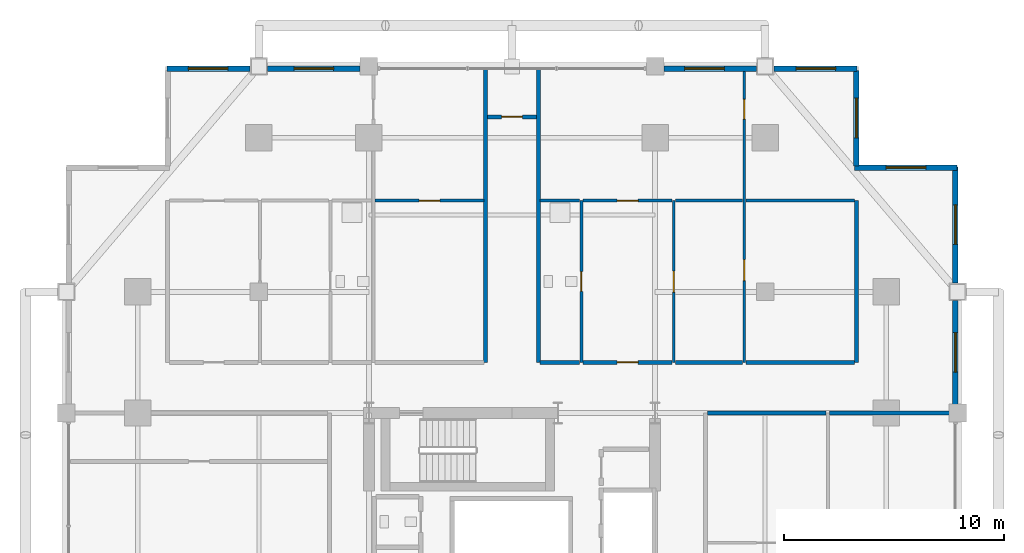
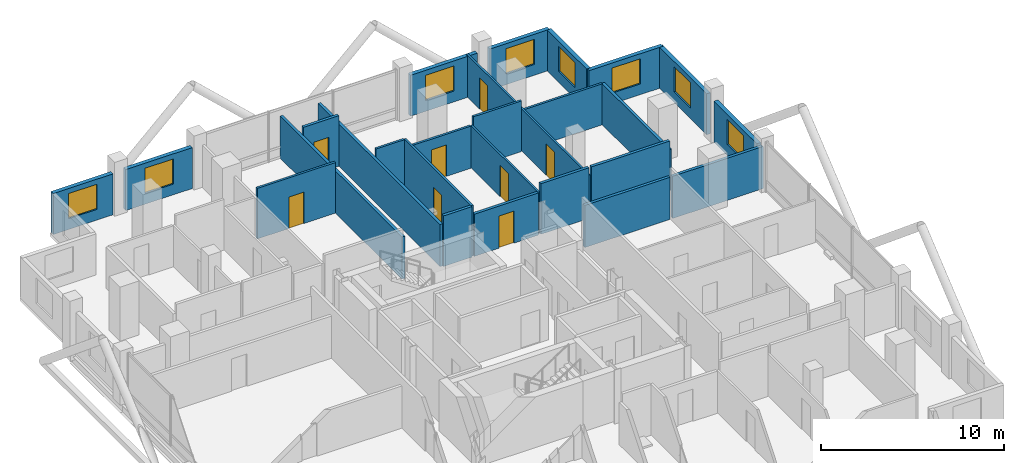
# One storey, part 22 of 25: 26 walls, 8 doors, 8 windows, 16 openings.
"""IFC4 building model written with IfcOpenShell, lengths in metres."""

from ifc_helpers import new_model, si_unit, direction, frame, frame_2d, origin, place, context, subcontext, project, spatial, rectangle, extrude, material, layer, layer_set, type_object, element, fill, save


model = new_model("IFC4")

# Units and contexts
model_context = context("Model", 3, precision=1e-05, world=origin(), true_north=direction((0.0, 1.0)))
body_context = subcontext(model_context, "Body", "Model", "MODEL_VIEW")
ifc_project = project(units=[si_unit("LENGTHUNIT", "METRE"), si_unit("AREAUNIT", "SQUARE_METRE"), si_unit("VOLUMEUNIT", "CUBIC_METRE"), si_unit("PLANEANGLEUNIT", "RADIAN"), si_unit("MASSUNIT", "GRAM", prefix="KILO")], contexts=[model_context])

# Site, building, storey
site_placement = place(None, origin())
site = spatial("IfcSite", under=ifc_project, at=site_placement, CompositionType="ELEMENT")
building_placement = place(site_placement, origin())
building = spatial("IfcBuilding", under=site, at=building_placement, Name="Barlavira Tower and Art Museum", CompositionType="ELEMENT")
storey_placement = place(building_placement, frame((0.0, 0.0, 144.0)))
storey = spatial("IfcBuildingStorey", under=building, at=storey_placement, Name="L36", CompositionType="ELEMENT", Elevation=144.0)

# Wall, opening, door
ifc_material_1 = material(Name="Gypsum acoustic stud partition", Category="gypsum")
ifc_layer_1 = layer(ifc_material_1, 0.1201171875, Name="Gypsum acoustic stud partition")
ifc_layer_set_1 = layer_set([ifc_layer_1], Name="Gypsum acoustic stud partition")
wall_type_1 = type_object("IfcWallType", Name="Apartment Internal Acoustic Partition 120", PredefinedType="PARTITIONING", material=ifc_layer_set_1)
wall_1_placement = place(storey_placement, frame((7.35009765625, 9.800048828125, 0.0), z_axis=(0.0, 0.0, 1.0), x_axis=(0.0, 1.0, 0.0)))
wall_1 = element("IfcWall", 1, at=wall_1_placement, inside=storey, type_object=wall_type_1, Name="L36 Partition Wall 18", PredefinedType="PARTITIONING", context=body_context, shape_type="SweptSolid", body=[
    extrude(rectangle(XDim=7.349853515625, YDim=0.1201171875, at=frame_2d((3.6748046875, 0.0))), origin(), (0.0, 0.0, 1.0), 2.81591796875),
])
opening_1_placement = place(wall_1_placement, frame((3.195068359375, 0.0, 0.0)))
opening_1 = element("IfcOpeningElement", 2, at=opening_1_placement, cuts=wall_1, Name="Opening D-02", PredefinedType="OPENING", context=body_context, shape_type="SweptSolid", body=[
    extrude(rectangle(XDim=0.949951171875, YDim=2.10009765625, at=frame_2d((0.47509765625, 1.050048828125))), frame((0.0, 0.070068359375, 0.0), z_axis=(0.0, -1.0, 0.0), x_axis=(1.0, 0.0, 0.0)), (0.0, 0.0, 1.0), 0.14013671875),
])
ifc_material_2 = material(Name="Engineered coastal hardwood", Category="wood")
door_type_1 = type_object("IfcDoorType", Name="Living and Salon Glazed-Leaf Door 950x2100", OperationType="NOTDEFINED", PredefinedType="DOOR", material=ifc_material_2)
door_1_placement = place(opening_1_placement, origin())
door_1 = element("IfcDoor", 3, at=door_1_placement, inside=storey, type_object=door_type_1, Name="Apartment NE1 Kitchen Door", OperationType="SINGLE_SWING_LEFT", OverallHeight=2.10009765625, OverallWidth=0.949951171875, PredefinedType="DOOR", context=body_context, shape_type="SweptSolid", body=[
    extrude(rectangle(XDim=0.949951171875, YDim=2.10009765625, at=frame_2d((0.47509765625, 1.050048828125))), frame((0.0, 0.02490234375, 0.0), z_axis=(0.0, -1.0, 0.0), x_axis=(1.0, 0.0, 0.0)), (0.0, 0.0, 1.0), 0.050048828125),
])
fill(opening_1, door_1)

# Wall, openings, doors
wall_2_placement = place(storey_placement, frame((10.550048828125, 9.800048828125, 0.0), z_axis=(0.0, 0.0, 1.0), x_axis=(0.0, 1.0, 0.0)))
wall_2 = element("IfcWall", 4, at=wall_2_placement, inside=storey, type_object=wall_type_1, Name="L36 Partition Wall 21", PredefinedType="PARTITIONING", context=body_context, shape_type="SweptSolid", body=[
    extrude(rectangle(XDim=13.349853515625, YDim=0.1201171875, at=frame_2d((6.6748046875, 0.0))), origin(), (0.0, 0.0, 1.0), 2.81591796875),
])
opening_2_placement = place(wall_2_placement, frame((3.71337890625, 0.0, 0.0)))
opening_2 = element("IfcOpeningElement", 5, at=opening_2_placement, cuts=wall_2, Name="Opening D-02", PredefinedType="OPENING", context=body_context, shape_type="SweptSolid", body=[
    extrude(rectangle(XDim=0.949951171875, YDim=2.10009765625, at=frame_2d((0.47509765625, 1.050048828125))), frame((0.0, 0.070068359375, 0.0), z_axis=(0.0, -1.0, 0.0), x_axis=(1.0, 0.0, 0.0)), (0.0, 0.0, 1.0), 0.14013671875),
])
opening_3_placement = place(wall_2_placement, frame((11.051025390625, 0.0, 0.0)))
opening_3 = element("IfcOpeningElement", 6, at=opening_3_placement, cuts=wall_2, Name="Opening D-01", PredefinedType="OPENING", context=body_context, shape_type="SweptSolid", body=[
    extrude(rectangle(XDim=0.89990234375, YDim=2.10009765625, at=frame_2d((0.449951171875, 1.050048828125))), frame((0.0, 0.070068359375, 0.0), z_axis=(0.0, -1.0, 0.0), x_axis=(1.0, 0.0, 0.0)), (0.0, 0.0, 1.0), 0.14013671875),
])
door_type_2 = type_object("IfcDoorType", Name="Internal Bedroom Timber Flush Door 900x2100", OperationType="NOTDEFINED", PredefinedType="DOOR", material=ifc_material_2)
door_2_placement = place(opening_3_placement, origin())
door_2 = element("IfcDoor", 7, at=door_2_placement, inside=storey, type_object=door_type_2, Name="Apartment NE1 Bedroom 1 Door", OperationType="SINGLE_SWING_RIGHT", OverallHeight=2.10009765625, OverallWidth=0.89990234375, PredefinedType="DOOR", context=body_context, shape_type="SweptSolid", body=[
    extrude(rectangle(XDim=0.89990234375, YDim=2.10009765625, at=frame_2d((0.449951171875, 1.050048828125))), frame((0.0, 0.02490234375, 0.0), z_axis=(0.0, -1.0, 0.0), x_axis=(1.0, 0.0, 0.0)), (0.0, 0.0, 1.0), 0.050048828125),
])
fill(opening_3, door_2)
door_3_placement = place(opening_2_placement, origin())
door_3 = element("IfcDoor", 8, at=door_3_placement, inside=storey, type_object=door_type_1, Name="Apartment NE1 Dining Salon Door", OperationType="SINGLE_SWING_RIGHT", OverallHeight=2.10009765625, OverallWidth=0.949951171875, PredefinedType="DOOR", context=body_context, shape_type="SweptSolid", body=[
    extrude(rectangle(XDim=0.949951171875, YDim=2.10009765625, at=frame_2d((0.47509765625, 1.050048828125))), frame((0.0, 0.02490234375, 0.0), z_axis=(0.0, -1.0, 0.0), x_axis=(1.0, 0.0, 0.0)), (0.0, 0.0, 1.0), 0.050048828125),
])
fill(opening_2, door_3)

# Walls
ifc_layer_2 = layer(ifc_material_1, 0.179931640625, Name="Gypsum acoustic stud partition")
ifc_layer_set_2 = layer_set([ifc_layer_2], Name="Gypsum acoustic stud partition")
wall_type_2 = type_object("IfcWallType", Name="Inter-Tenancy Party Partition Wall 180", PredefinedType="PARTITIONING", material=ifc_layer_set_2)
for number, where, z_axis, x_axis, name in (
    (9, (-1.199951171875, 9.800048828125, 0.0), (0.0, 0.0, 1.0), (0.0, 1.0, 0.0), "L36 Partition Wall 11"),
    (10, (1.199951171875, 9.800048828125, 0.0), (0.0, 0.0, 1.0), (0.0, 1.0, 0.0), "L36 Partition Wall 13"),
):
    element("IfcWall", number, at=place(storey_placement, frame(where, z_axis=z_axis, x_axis=x_axis)), inside=storey, type_object=wall_type_2, Name=name, PredefinedType="PARTITIONING", context=body_context, shape_type="SweptSolid", body=[
        extrude(rectangle(XDim=13.349853515625, YDim=0.179931640625, at=frame_2d((6.6748046875, 0.0))), origin(), (0.0, 0.0, 1.0), 2.81591796875),
    ])
wall_3_placement = place(storey_placement, frame((15.64990234375, 9.800048828125, 0.0), z_axis=(0.0, 0.0, 1.0), x_axis=(0.0, 1.0, 0.0)))
element("IfcWall", 11, at=wall_3_placement, inside=storey, type_object=wall_type_2, Name="L36 Partition Wall 24", PredefinedType="PARTITIONING", context=body_context, shape_type="SweptSolid", body=[
    extrude(rectangle(XDim=7.349853515625, YDim=0.179931640625, at=frame_2d((3.6748046875, 0.0))), origin(), (0.0, 0.0, 1.0), 2.736083984375),
])
wall_4_placement = place(storey_placement, frame((8.8798828125, 7.5, 0.0), z_axis=(0.0, 0.0, 1.0), x_axis=(1.0, 0.0, 0.0)))
element("IfcWall", 12, at=wall_4_placement, inside=storey, type_object=wall_type_2, Name="L36 Partition Wall 52", PredefinedType="PARTITIONING", context=body_context, shape_type="SweptSolid", body=[
    extrude(rectangle(XDim=5.39013671875, YDim=0.179931640625, at=frame_2d((2.695068359375, 0.0))), origin(), (0.0, 0.0, 1.0), 2.81591796875),
])
wall_5_placement = place(storey_placement, frame((14.429931640625, 7.5, 0.0), z_axis=(0.0, 0.0, 1.0), x_axis=(1.0, 0.0, 0.0)))
element("IfcWall", 13, at=wall_5_placement, inside=storey, type_object=wall_type_2, Name="L36 Partition Wall 53", PredefinedType="PARTITIONING", context=body_context, shape_type="SweptSolid", body=[
    extrude(rectangle(XDim=5.719970703125, YDim=0.179931640625, at=frame_2d((2.85986328125, 0.0))), origin(), (0.0, 0.0, 1.0), 2.81591796875),
])
wall_6_placement = place(storey_placement, frame((1.280029296875, 9.800048828125, 0.0), z_axis=(0.0, 0.0, 1.0), x_axis=(1.0, 0.0, 0.0)))
element("IfcWall", 14, at=wall_6_placement, inside=storey, type_object=wall_type_2, Name="L36 Partition Wall 58", PredefinedType="PARTITIONING", context=body_context, shape_type="SweptSolid", body=[
    extrude(rectangle(XDim=1.7900390625, YDim=0.179931640625, at=frame_2d((0.89501953125, 0.0))), origin(), (0.0, 0.0, 1.0), 3.3798828125),
])

# Wall, opening, door
wall_7_placement = place(storey_placement, frame((3.22998046875, 9.800048828125, 0.0), z_axis=(0.0, 0.0, 1.0), x_axis=(1.0, 0.0, 0.0)))
wall_7 = element("IfcWall", 15, at=wall_7_placement, inside=storey, type_object=wall_type_2, Name="L36 Partition Wall 59", PredefinedType="PARTITIONING", context=body_context, shape_type="SweptSolid", body=[
    extrude(rectangle(XDim=4.0400390625, YDim=0.179931640625, at=frame_2d((2.02001953125, 0.0))), origin(), (0.0, 0.0, 1.0), 2.81591796875),
])
opening_4_placement = place(wall_7_placement, frame((1.544921875, 0.0, 0.0)))
opening_4 = element("IfcOpeningElement", 16, at=opening_4_placement, cuts=wall_7, Name="Opening FD-60", PredefinedType="OPENING", context=body_context, shape_type="SweptSolid", body=[
    extrude(rectangle(XDim=0.949951171875, YDim=2.14990234375, at=frame_2d((0.47509765625, 1.074951171875))), frame((0.0, 0.10009765625, 0.0), z_axis=(0.0, -1.0, 0.0), x_axis=(1.0, 0.0, 0.0)), (0.0, 0.0, 1.0), 0.199951171875),
])
ifc_material_3 = material(Name="Brushed stainless steel", Category="steel")
door_type_3 = type_object("IfcDoorType", Name="Apartment Entrance and Riser Fire Door 950x2150 FD60S", OperationType="NOTDEFINED", PredefinedType="DOOR", material=ifc_material_3)
door_4_placement = place(opening_4_placement, origin())
door_4 = element("IfcDoor", 17, at=door_4_placement, inside=storey, type_object=door_type_3, Name="Apartment Entrance Hall NE1 Door", OperationType="SINGLE_SWING_RIGHT", OverallHeight=2.14990234375, OverallWidth=0.949951171875, PredefinedType="DOOR", context=body_context, shape_type="SweptSolid", body=[
    extrude(rectangle(XDim=0.949951171875, YDim=2.14990234375, at=frame_2d((0.47509765625, 1.074951171875))), frame((0.0, 0.02490234375, 0.0), z_axis=(0.0, -1.0, 0.0), x_axis=(1.0, 0.0, 0.0)), (0.0, 0.0, 1.0), 0.050048828125),
])
fill(opening_4, door_4)

# Walls
wall_8_placement = place(storey_placement, frame((7.429931640625, 9.800048828125, 0.0), z_axis=(0.0, 0.0, 1.0), x_axis=(1.0, 0.0, 0.0)))
element("IfcWall", 18, at=wall_8_placement, inside=storey, type_object=wall_type_2, Name="L36 Partition Wall 60", PredefinedType="PARTITIONING", context=body_context, shape_type="SweptSolid", body=[
    extrude(rectangle(XDim=3.0400390625, YDim=0.179931640625, at=frame_2d((1.52001953125, 0.0))), origin(), (0.0, 0.0, 1.0), 3.3798828125),
])
wall_9_placement = place(storey_placement, frame((10.6298828125, 9.800048828125, 0.0), z_axis=(0.0, 0.0, 1.0), x_axis=(1.0, 0.0, 0.0)))
element("IfcWall", 19, at=wall_9_placement, inside=storey, type_object=wall_type_2, Name="L36 Partition Wall 61", PredefinedType="PARTITIONING", context=body_context, shape_type="SweptSolid", body=[
    extrude(rectangle(XDim=4.940185546875, YDim=0.179931640625, at=frame_2d((2.47021484375, 0.0))), origin(), (0.0, 0.0, 1.0), 3.3798828125),
])

# Wall, opening, door
wall_10_placement = place(storey_placement, frame((-1.1201171875, 20.949951171875, 0.0), z_axis=(0.0, 0.0, 1.0), x_axis=(1.0, 0.0, 0.0)))
wall_10 = element("IfcWall", 20, at=wall_10_placement, inside=storey, type_object=wall_type_2, Name="L36 Partition Wall 70", PredefinedType="PARTITIONING", context=body_context, shape_type="SweptSolid", body=[
    extrude(rectangle(XDim=2.240234375, YDim=0.179931640625, at=frame_2d((1.1201171875, 0.0))), origin(), (0.0, 0.0, 1.0), 3.3798828125),
])
opening_5_placement = place(wall_10_placement, frame((0.64501953125, 0.0, 0.0)))
opening_5 = element("IfcOpeningElement", 21, at=opening_5_placement, cuts=wall_10, Name="Opening FD-60", PredefinedType="OPENING", context=body_context, shape_type="SweptSolid", body=[
    extrude(rectangle(XDim=0.949951171875, YDim=2.14990234375, at=frame_2d((0.47509765625, 1.074951171875))), frame((0.0, 0.10009765625, 0.0), z_axis=(0.0, -1.0, 0.0), x_axis=(1.0, 0.0, 0.0)), (0.0, 0.0, 1.0), 0.199951171875),
])
door_5_placement = place(opening_5_placement, origin())
door_5 = element("IfcDoor", 22, at=door_5_placement, inside=storey, type_object=door_type_3, Name="L36 North Ocean Alcove Door", OperationType="SINGLE_SWING_RIGHT", OverallHeight=2.14990234375, OverallWidth=0.949951171875, PredefinedType="DOOR", context=body_context, shape_type="SweptSolid", body=[
    extrude(rectangle(XDim=0.949951171875, YDim=2.14990234375, at=frame_2d((0.47509765625, 1.074951171875))), frame((0.0, 0.02490234375, 0.0), z_axis=(0.0, -1.0, 0.0), x_axis=(1.0, 0.0, 0.0)), (0.0, 0.0, 1.0), 0.050048828125),
])
fill(opening_5, door_5)

ifc_layer_3 = layer(ifc_material_1, 0.139892578125, Name="Gypsum acoustic stud partition")
ifc_layer_set_3 = layer_set([ifc_layer_3], Name="Gypsum acoustic stud partition")
wall_type_3 = type_object("IfcWallType", Name="Moisture-Resistant Bathroom Partition 140", PredefinedType="PARTITIONING", material=ifc_layer_set_3)
wall_11_placement = place(storey_placement, frame((3.14990234375, 9.800048828125, 0.0), z_axis=(0.0, 0.0, 1.0), x_axis=(0.0, 1.0, 0.0)))
wall_11 = element("IfcWall", 23, at=wall_11_placement, inside=storey, type_object=wall_type_3, Name="L36 Partition Wall 15", PredefinedType="PARTITIONING", context=body_context, shape_type="SweptSolid", body=[
    extrude(rectangle(XDim=7.349853515625, YDim=0.139892578125, at=frame_2d((3.6748046875, 0.0))), origin(), (0.0, 0.0, 1.0), 3.3798828125),
])
opening_6_placement = place(wall_11_placement, frame((3.219970703125, 0.0, 0.0)))
opening_6 = element("IfcOpeningElement", 24, at=opening_6_placement, cuts=wall_11, Name="Opening D-WC", PredefinedType="OPENING", context=body_context, shape_type="SweptSolid", body=[
    extrude(rectangle(XDim=0.89990234375, YDim=2.10009765625, at=frame_2d((0.449951171875, 1.050048828125))), frame((0.0, 0.080078125, 0.0), z_axis=(0.0, -1.0, 0.0), x_axis=(1.0, 0.0, 0.0)), (0.0, 0.0, 1.0), 0.159912109375),
])
door_type_4 = type_object("IfcDoorType", Name="Accessible Bathroom Flush Door 900x2100", OperationType="NOTDEFINED", PredefinedType="DOOR", material=ifc_material_2)
door_6_placement = place(opening_6_placement, origin())
door_6 = element("IfcDoor", 25, at=door_6_placement, inside=storey, type_object=door_type_4, Name="Apartment NE1 Hall Bathroom Door", OperationType="SINGLE_SWING_LEFT", OverallHeight=2.10009765625, OverallWidth=0.89990234375, PredefinedType="DOOR", context=body_context, shape_type="SweptSolid", body=[
    extrude(rectangle(XDim=0.89990234375, YDim=2.10009765625, at=frame_2d((0.449951171875, 1.050048828125))), frame((0.0, 0.02490234375, 0.0), z_axis=(0.0, -1.0, 0.0), x_axis=(1.0, 0.0, 0.0)), (0.0, 0.0, 1.0), 0.050048828125),
])
fill(opening_6, door_6)

wall_12_placement = place(storey_placement, frame((-6.219970703125, 17.14990234375, 0.0), z_axis=(0.0, 0.0, 1.0), x_axis=(1.0, 0.0, 0.0)))
wall_12 = element("IfcWall", 26, at=wall_12_placement, inside=storey, type_object=wall_type_3, Name="L36 Partition Wall 65", PredefinedType="PARTITIONING", context=body_context, shape_type="SweptSolid", body=[
    extrude(rectangle(XDim=4.93994140625, YDim=0.139892578125, at=frame_2d((2.469970703125, 0.0))), origin(), (0.0, 0.0, 1.0), 3.3798828125),
])
opening_7_placement = place(wall_12_placement, frame((1.9951171875, 0.0, 0.0)))
opening_7 = element("IfcOpeningElement", 27, at=opening_7_placement, cuts=wall_12, Name="Opening D-02", PredefinedType="OPENING", context=body_context, shape_type="SweptSolid", body=[
    extrude(rectangle(XDim=0.949951171875, YDim=2.10009765625, at=frame_2d((0.47509765625, 1.050048828125))), frame((0.0, 0.080078125, 0.0), z_axis=(0.0, -1.0, 0.0), x_axis=(1.0, 0.0, 0.0)), (0.0, 0.0, 1.0), 0.159912109375),
])
door_7_placement = place(opening_7_placement, origin())
door_7 = element("IfcDoor", 28, at=door_7_placement, inside=storey, type_object=door_type_1, Name="Apartment NW1 Dining Salon Door", OperationType="SINGLE_SWING_RIGHT", OverallHeight=2.10009765625, OverallWidth=0.949951171875, PredefinedType="DOOR", context=body_context, shape_type="SweptSolid", body=[
    extrude(rectangle(XDim=0.949951171875, YDim=2.10009765625, at=frame_2d((0.47509765625, 1.050048828125))), frame((0.0, 0.02490234375, 0.0), z_axis=(0.0, -1.0, 0.0), x_axis=(1.0, 0.0, 0.0)), (0.0, 0.0, 1.0), 0.050048828125),
])
fill(opening_7, door_7)

# Wall
wall_13_placement = place(storey_placement, frame((1.280029296875, 17.14990234375, 0.0), z_axis=(0.0, 0.0, 1.0), x_axis=(1.0, 0.0, 0.0)))
element("IfcWall", 29, at=wall_13_placement, inside=storey, type_object=wall_type_3, Name="L36 Partition Wall 66", PredefinedType="PARTITIONING", context=body_context, shape_type="SweptSolid", body=[
    extrude(rectangle(XDim=1.7900390625, YDim=0.139892578125, at=frame_2d((0.89501953125, 0.0))), origin(), (0.0, 0.0, 1.0), 3.3798828125),
])

# Wall, opening, door
wall_14_placement = place(storey_placement, frame((3.22998046875, 17.14990234375, 0.0), z_axis=(0.0, 0.0, 1.0), x_axis=(1.0, 0.0, 0.0)))
wall_14 = element("IfcWall", 30, at=wall_14_placement, inside=storey, type_object=wall_type_3, Name="L36 Partition Wall 67", PredefinedType="PARTITIONING", context=body_context, shape_type="SweptSolid", body=[
    extrude(rectangle(XDim=4.0400390625, YDim=0.139892578125, at=frame_2d((2.02001953125, 0.0))), origin(), (0.0, 0.0, 1.0), 2.81591796875),
])
opening_8_placement = place(wall_14_placement, frame((1.544921875, 0.0, 0.0)))
opening_8 = element("IfcOpeningElement", 31, at=opening_8_placement, cuts=wall_14, Name="Opening D-02", PredefinedType="OPENING", context=body_context, shape_type="SweptSolid", body=[
    extrude(rectangle(XDim=0.949951171875, YDim=2.10009765625, at=frame_2d((0.47509765625, 1.050048828125))), frame((0.0, 0.080078125, 0.0), z_axis=(0.0, -1.0, 0.0), x_axis=(1.0, 0.0, 0.0)), (0.0, 0.0, 1.0), 0.159912109375),
])
door_8_placement = place(opening_8_placement, origin())
door_8 = element("IfcDoor", 32, at=door_8_placement, inside=storey, type_object=door_type_1, Name="Apartment NE1 Living Lounge Door", OperationType="SINGLE_SWING_LEFT", OverallHeight=2.10009765625, OverallWidth=0.949951171875, PredefinedType="DOOR", context=body_context, shape_type="SweptSolid", body=[
    extrude(rectangle(XDim=0.949951171875, YDim=2.10009765625, at=frame_2d((0.47509765625, 1.050048828125))), frame((0.0, 0.02490234375, 0.0), z_axis=(0.0, -1.0, 0.0), x_axis=(1.0, 0.0, 0.0)), (0.0, 0.0, 1.0), 0.050048828125),
])
fill(opening_8, door_8)

# Walls
wall_15_placement = place(storey_placement, frame((7.429931640625, 17.14990234375, 0.0), z_axis=(0.0, 0.0, 1.0), x_axis=(1.0, 0.0, 0.0)))
element("IfcWall", 33, at=wall_15_placement, inside=storey, type_object=wall_type_3, Name="L36 Partition Wall 68", PredefinedType="PARTITIONING", context=body_context, shape_type="SweptSolid", body=[
    extrude(rectangle(XDim=3.0400390625, YDim=0.139892578125, at=frame_2d((1.52001953125, 0.0))), origin(), (0.0, 0.0, 1.0), 3.3798828125),
])
wall_16_placement = place(storey_placement, frame((10.6298828125, 17.14990234375, 0.0), z_axis=(0.0, 0.0, 1.0), x_axis=(1.0, 0.0, 0.0)))
element("IfcWall", 34, at=wall_16_placement, inside=storey, type_object=wall_type_3, Name="L36 Partition Wall 69", PredefinedType="PARTITIONING", context=body_context, shape_type="SweptSolid", body=[
    extrude(rectangle(XDim=4.940185546875, YDim=0.139892578125, at=frame_2d((2.47021484375, 0.0))), origin(), (0.0, 0.0, 1.0), 2.736083984375),
])

# Wall, opening, window
ifc_material_4 = material(Name="Precast concrete C40", Category="concrete")
ifc_layer_4 = layer(ifc_material_4, 0.25, Name="Precast concrete C40")
ifc_layer_set_4 = layer_set([ifc_layer_4], Name="Precast concrete C40")
wall_type_4 = type_object("IfcWallType", Name="Notched Corner Spandrel Wall 250 Precast Concrete C40", PredefinedType="SOLIDWALL", material=ifc_layer_set_4)
wall_17_placement = place(storey_placement, frame((15.675048828125, 23.14990234375, 0.0), z_axis=(0.0, 0.0, 1.0), x_axis=(-1.0, 0.0, 0.0)))
wall_17 = element("IfcWall", 35, at=wall_17_placement, inside=storey, type_object=wall_type_4, Name="L36 Coastal Facade Pier Wall CW2-L36-N-1", PredefinedType="SOLIDWALL", context=body_context, shape_type="SweptSolid", body=[
    extrude(rectangle(XDim=3.780029296875, YDim=0.25, at=frame_2d((1.89013671875, 0.0))), origin(), (0.0, 0.0, 1.0), 2.736083984375),
])
opening_9_placement = place(wall_17_placement, frame((0.968017578125, 0.0, 0.719970703125)))
opening_9 = element("IfcOpeningElement", 36, at=opening_9_placement, cuts=wall_17, Name="Opening WN-01", PredefinedType="OPENING", context=body_context, shape_type="SweptSolid", body=[
    extrude(rectangle(XDim=1.800048828125, YDim=1.679931640625, at=frame_2d((0.89990234375, 0.83984375))), frame((0.0, 0.135009765625, 0.0), z_axis=(0.0, -1.0, 0.0), x_axis=(1.0, 0.0, 0.0)), (0.0, 0.0, 1.0), 0.27001953125),
])
ifc_material_5 = material(Name="Low-iron coastal laminated glass", Category="glass")
window_type = type_object("IfcWindowType", Name="Recessed Notch Corner Punch Window 1800x1680", PartitioningType="SINGLE_PANEL", PredefinedType="WINDOW", material=ifc_material_5)
window_1_placement = place(opening_9_placement, origin())
window_1 = element("IfcWindow", 37, at=window_1_placement, inside=storey, type_object=window_type, Name="L36 Punched Facade Window EWP-CW2-L36-N-1-1", OverallHeight=1.679931640625, OverallWidth=1.800048828125, PartitioningType="SINGLE_PANEL", PredefinedType="WINDOW", context=body_context, shape_type="SweptSolid", body=[
    extrude(rectangle(XDim=1.800048828125, YDim=1.679931640625, at=frame_2d((0.89990234375, 0.83984375))), frame((0.0, 0.030029296875, 0.0), z_axis=(0.0, -1.0, 0.0), x_axis=(1.0, 0.0, 0.0)), (0.0, 0.0, 1.0), 0.06005859375),
])
fill(opening_9, window_1)

wall_18_placement = place(storey_placement, frame((11.10498046875, 23.14990234375, 0.0), z_axis=(0.0, 0.0, 1.0), x_axis=(-1.0, 0.0, 0.0)))
wall_18 = element("IfcWall", 38, at=wall_18_placement, inside=storey, type_object=wall_type_4, Name="L36 Coastal Facade Pier Wall CW2-L36-N-2", PredefinedType="SOLIDWALL", context=body_context, shape_type="SweptSolid", body=[
    extrude(rectangle(XDim=4.2099609375, YDim=0.25, at=frame_2d((2.10498046875, 0.0))), origin(), (0.0, 0.0, 1.0), 2.736083984375),
])
opening_10_placement = place(wall_18_placement, frame((1.4599609375, 0.0, 0.719970703125)))
opening_10 = element("IfcOpeningElement", 39, at=opening_10_placement, cuts=wall_18, Name="Opening WN-01", PredefinedType="OPENING", context=body_context, shape_type="SweptSolid", body=[
    extrude(rectangle(XDim=1.800048828125, YDim=1.679931640625, at=frame_2d((0.89990234375, 0.83984375))), frame((0.0, 0.135009765625, 0.0), z_axis=(0.0, -1.0, 0.0), x_axis=(1.0, 0.0, 0.0)), (0.0, 0.0, 1.0), 0.27001953125),
])
window_2_placement = place(opening_10_placement, origin())
window_2 = element("IfcWindow", 40, at=window_2_placement, inside=storey, type_object=window_type, Name="L36 Punched Facade Window EWP-CW2-L36-N-2-1", OverallHeight=1.679931640625, OverallWidth=1.800048828125, PartitioningType="SINGLE_PANEL", PredefinedType="WINDOW", context=body_context, shape_type="SweptSolid", body=[
    extrude(rectangle(XDim=1.800048828125, YDim=1.679931640625, at=frame_2d((0.89990234375, 0.83984375))), frame((0.0, 0.030029296875, 0.0), z_axis=(0.0, -1.0, 0.0), x_axis=(1.0, 0.0, 0.0)), (0.0, 0.0, 1.0), 0.06005859375),
])
fill(opening_10, window_2)

wall_19_placement = place(storey_placement, frame((-6.89501953125, 23.14990234375, 0.0), z_axis=(0.0, 0.0, 1.0), x_axis=(-1.0, 0.0, 0.0)))
wall_19 = element("IfcWall", 41, at=wall_19_placement, inside=storey, type_object=wall_type_4, Name="L36 Coastal Facade Pier Wall CW2-L36-N-4", PredefinedType="SOLIDWALL", context=body_context, shape_type="SweptSolid", body=[
    extrude(rectangle(XDim=4.2099609375, YDim=0.25, at=frame_2d((2.10498046875, 0.0))), origin(), (0.0, 0.0, 1.0), 2.736083984375),
])
opening_11_placement = place(wall_19_placement, frame((1.205078125, 0.0, 0.719970703125)))
opening_11 = element("IfcOpeningElement", 42, at=opening_11_placement, cuts=wall_19, Name="Opening WN-01", PredefinedType="OPENING", context=body_context, shape_type="SweptSolid", body=[
    extrude(rectangle(XDim=1.800048828125, YDim=1.679931640625, at=frame_2d((0.89990234375, 0.83984375))), frame((0.0, 0.135009765625, 0.0), z_axis=(0.0, -1.0, 0.0), x_axis=(1.0, 0.0, 0.0)), (0.0, 0.0, 1.0), 0.27001953125),
])
window_3_placement = place(opening_11_placement, origin())
window_3 = element("IfcWindow", 43, at=window_3_placement, inside=storey, type_object=window_type, Name="L36 Punched Facade Window EWP-CW2-L36-N-4-1", OverallHeight=1.679931640625, OverallWidth=1.800048828125, PartitioningType="SINGLE_PANEL", PredefinedType="WINDOW", context=body_context, shape_type="SweptSolid", body=[
    extrude(rectangle(XDim=1.800048828125, YDim=1.679931640625, at=frame_2d((0.89990234375, 0.83984375))), frame((0.0, 0.030029296875, 0.0), z_axis=(0.0, -1.0, 0.0), x_axis=(1.0, 0.0, 0.0)), (0.0, 0.0, 1.0), 0.06005859375),
])
fill(opening_11, window_3)

wall_20_placement = place(storey_placement, frame((-11.89501953125, 23.14990234375, 0.0), z_axis=(0.0, 0.0, 1.0), x_axis=(-1.0, 0.0, 0.0)))
wall_20 = element("IfcWall", 44, at=wall_20_placement, inside=storey, type_object=wall_type_4, Name="L36 Coastal Facade Pier Wall CW2-L36-N-5", PredefinedType="SOLIDWALL", context=body_context, shape_type="SweptSolid", body=[
    extrude(rectangle(XDim=3.780029296875, YDim=0.25, at=frame_2d((1.89013671875, 0.0))), origin(), (0.0, 0.0, 1.0), 2.736083984375),
])
opening_12_placement = place(wall_20_placement, frame((1.012939453125, 0.0, 0.719970703125)))
opening_12 = element("IfcOpeningElement", 45, at=opening_12_placement, cuts=wall_20, Name="Opening WN-01", PredefinedType="OPENING", context=body_context, shape_type="SweptSolid", body=[
    extrude(rectangle(XDim=1.800048828125, YDim=1.679931640625, at=frame_2d((0.89990234375, 0.83984375))), frame((0.0, 0.135009765625, 0.0), z_axis=(0.0, -1.0, 0.0), x_axis=(1.0, 0.0, 0.0)), (0.0, 0.0, 1.0), 0.27001953125),
])
window_4_placement = place(opening_12_placement, origin())
window_4 = element("IfcWindow", 46, at=window_4_placement, inside=storey, type_object=window_type, Name="L36 Punched Facade Window EWP-CW2-L36-N-5-1", OverallHeight=1.679931640625, OverallWidth=1.800048828125, PartitioningType="SINGLE_PANEL", PredefinedType="WINDOW", context=body_context, shape_type="SweptSolid", body=[
    extrude(rectangle(XDim=1.800048828125, YDim=1.679931640625, at=frame_2d((0.89990234375, 0.83984375))), frame((0.0, 0.030029296875, 0.0), z_axis=(0.0, -1.0, 0.0), x_axis=(1.0, 0.0, 0.0)), (0.0, 0.0, 1.0), 0.06005859375),
])
fill(opening_12, window_4)

wall_21_placement = place(storey_placement, frame((20.14990234375, 7.89501953125, 0.0), z_axis=(0.0, 0.0, 1.0), x_axis=(0.0, 1.0, 0.0)))
wall_21 = element("IfcWall", 47, at=wall_21_placement, inside=storey, type_object=wall_type_4, Name="L36 Coastal Facade Pier Wall CW2-L36-E-4", PredefinedType="SOLIDWALL", context=body_context, shape_type="SweptSolid", body=[
    extrude(rectangle(XDim=4.7099609375, YDim=0.25, at=frame_2d((2.35498046875, 0.0))), origin(), (0.0, 0.0, 1.0), 2.736083984375),
])
opening_13_placement = place(wall_21_placement, frame((1.455078125, 0.0, 0.719970703125)))
opening_13 = element("IfcOpeningElement", 48, at=opening_13_placement, cuts=wall_21, Name="Opening WN-01", PredefinedType="OPENING", context=body_context, shape_type="SweptSolid", body=[
    extrude(rectangle(XDim=1.800048828125, YDim=1.679931640625, at=frame_2d((0.89990234375, 0.83984375))), frame((0.0, 0.135009765625, 0.0), z_axis=(0.0, -1.0, 0.0), x_axis=(1.0, 0.0, 0.0)), (0.0, 0.0, 1.0), 0.27001953125),
])
window_5_placement = place(opening_13_placement, origin())
window_5 = element("IfcWindow", 49, at=window_5_placement, inside=storey, type_object=window_type, Name="L36 Punched Facade Window EWP-CW2-L36-E-4-1", OverallHeight=1.679931640625, OverallWidth=1.800048828125, PartitioningType="SINGLE_PANEL", PredefinedType="WINDOW", context=body_context, shape_type="SweptSolid", body=[
    extrude(rectangle(XDim=1.800048828125, YDim=1.679931640625, at=frame_2d((0.89990234375, 0.83984375))), frame((0.0, 0.030029296875, 0.0), z_axis=(0.0, -1.0, 0.0), x_axis=(1.0, 0.0, 0.0)), (0.0, 0.0, 1.0), 0.06005859375),
])
fill(opening_13, window_5)

wall_22_placement = place(storey_placement, frame((20.14990234375, 13.39501953125, 0.0), z_axis=(0.0, 0.0, 1.0), x_axis=(0.0, 1.0, 0.0)))
wall_22 = element("IfcWall", 50, at=wall_22_placement, inside=storey, type_object=wall_type_4, Name="L36 Coastal Facade Pier Wall CW2-L36-E-5", PredefinedType="SOLIDWALL", context=body_context, shape_type="SweptSolid", body=[
    extrude(rectangle(XDim=5.280029296875, YDim=0.25, at=frame_2d((2.64013671875, 0.0))), origin(), (0.0, 0.0, 1.0), 2.736083984375),
])
opening_14_placement = place(wall_22_placement, frame((1.762939453125, 0.0, 0.719970703125)))
opening_14 = element("IfcOpeningElement", 51, at=opening_14_placement, cuts=wall_22, Name="Opening WN-01", PredefinedType="OPENING", context=body_context, shape_type="SweptSolid", body=[
    extrude(rectangle(XDim=1.800048828125, YDim=1.679931640625, at=frame_2d((0.89990234375, 0.83984375))), frame((0.0, 0.135009765625, 0.0), z_axis=(0.0, -1.0, 0.0), x_axis=(1.0, 0.0, 0.0)), (0.0, 0.0, 1.0), 0.27001953125),
])
window_6_placement = place(opening_14_placement, origin())
window_6 = element("IfcWindow", 52, at=window_6_placement, inside=storey, type_object=window_type, Name="L36 Punched Facade Window EWP-CW2-L36-E-5-1", OverallHeight=1.679931640625, OverallWidth=1.800048828125, PartitioningType="SINGLE_PANEL", PredefinedType="WINDOW", context=body_context, shape_type="SweptSolid", body=[
    extrude(rectangle(XDim=1.800048828125, YDim=1.679931640625, at=frame_2d((0.89990234375, 0.83984375))), frame((0.0, 0.030029296875, 0.0), z_axis=(0.0, -1.0, 0.0), x_axis=(1.0, 0.0, 0.0)), (0.0, 0.0, 1.0), 0.06005859375),
])
fill(opening_14, window_6)

wall_23_placement = place(storey_placement, frame((20.22998046875, 18.64990234375, 0.0), z_axis=(0.0, 0.0, 1.0), x_axis=(-1.0, 0.0, 0.0)))
wall_23 = element("IfcWall", 53, at=wall_23_placement, inside=storey, type_object=wall_type_4, Name="L36 Notch Corner Wall NE1", PredefinedType="SOLIDWALL", context=body_context, shape_type="SweptSolid", body=[
    extrude(rectangle(XDim=4.659912109375, YDim=0.25, at=frame_2d((2.330078125, 0.0))), origin(), (0.0, 0.0, 1.0), 2.736083984375),
])
opening_15_placement = place(wall_23_placement, frame((1.429931640625, 0.0, 0.719970703125)))
opening_15 = element("IfcOpeningElement", 54, at=opening_15_placement, cuts=wall_23, Name="Opening WN-01", PredefinedType="OPENING", context=body_context, shape_type="SweptSolid", body=[
    extrude(rectangle(XDim=1.800048828125, YDim=1.679931640625, at=frame_2d((0.89990234375, 0.83984375))), frame((0.0, 0.135009765625, 0.0), z_axis=(0.0, -1.0, 0.0), x_axis=(1.0, 0.0, 0.0)), (0.0, 0.0, 1.0), 0.27001953125),
])
window_7_placement = place(opening_15_placement, origin())
window_7 = element("IfcWindow", 55, at=window_7_placement, inside=storey, type_object=window_type, Name="L36 Punched Facade Window EW-NTC-L36-NE1-1", OverallHeight=1.679931640625, OverallWidth=1.800048828125, PartitioningType="SINGLE_PANEL", PredefinedType="WINDOW", context=body_context, shape_type="SweptSolid", body=[
    extrude(rectangle(XDim=1.800048828125, YDim=1.679931640625, at=frame_2d((0.89990234375, 0.83984375))), frame((0.0, 0.030029296875, 0.0), z_axis=(0.0, -1.0, 0.0), x_axis=(1.0, 0.0, 0.0)), (0.0, 0.0, 1.0), 0.06005859375),
])
fill(opening_15, window_7)

wall_24_placement = place(storey_placement, frame((15.64990234375, 18.72998046875, 0.0), z_axis=(0.0, 0.0, 1.0), x_axis=(0.0, 1.0, 0.0)))
wall_24 = element("IfcWall", 56, at=wall_24_placement, inside=storey, type_object=wall_type_4, Name="L36 Notch Corner Wall NE2", PredefinedType="SOLIDWALL", context=body_context, shape_type="SweptSolid", body=[
    extrude(rectangle(XDim=4.340087890625, YDim=0.25, at=frame_2d((2.169921875, 0.0))), origin(), (0.0, 0.0, 1.0), 2.736083984375),
])
opening_16_placement = place(wall_24_placement, frame((1.27001953125, 0.0, 0.719970703125)))
opening_16 = element("IfcOpeningElement", 57, at=opening_16_placement, cuts=wall_24, Name="Opening WN-01", PredefinedType="OPENING", context=body_context, shape_type="SweptSolid", body=[
    extrude(rectangle(XDim=1.800048828125, YDim=1.679931640625, at=frame_2d((0.89990234375, 0.83984375))), frame((0.0, 0.135009765625, 0.0), z_axis=(0.0, -1.0, 0.0), x_axis=(1.0, 0.0, 0.0)), (0.0, 0.0, 1.0), 0.27001953125),
])
window_8_placement = place(opening_16_placement, origin())
window_8 = element("IfcWindow", 58, at=window_8_placement, inside=storey, type_object=window_type, Name="L36 Punched Facade Window EW-NTC-L36-NE2-1", OverallHeight=1.679931640625, OverallWidth=1.800048828125, PartitioningType="SINGLE_PANEL", PredefinedType="WINDOW", context=body_context, shape_type="SweptSolid", body=[
    extrude(rectangle(XDim=1.800048828125, YDim=1.679931640625, at=frame_2d((0.89990234375, 0.83984375))), frame((0.0, 0.030029296875, 0.0), z_axis=(0.0, -1.0, 0.0), x_axis=(1.0, 0.0, 0.0)), (0.0, 0.0, 1.0), 0.06005859375),
])
fill(opening_16, window_8)

save(model, "model.ifc")
